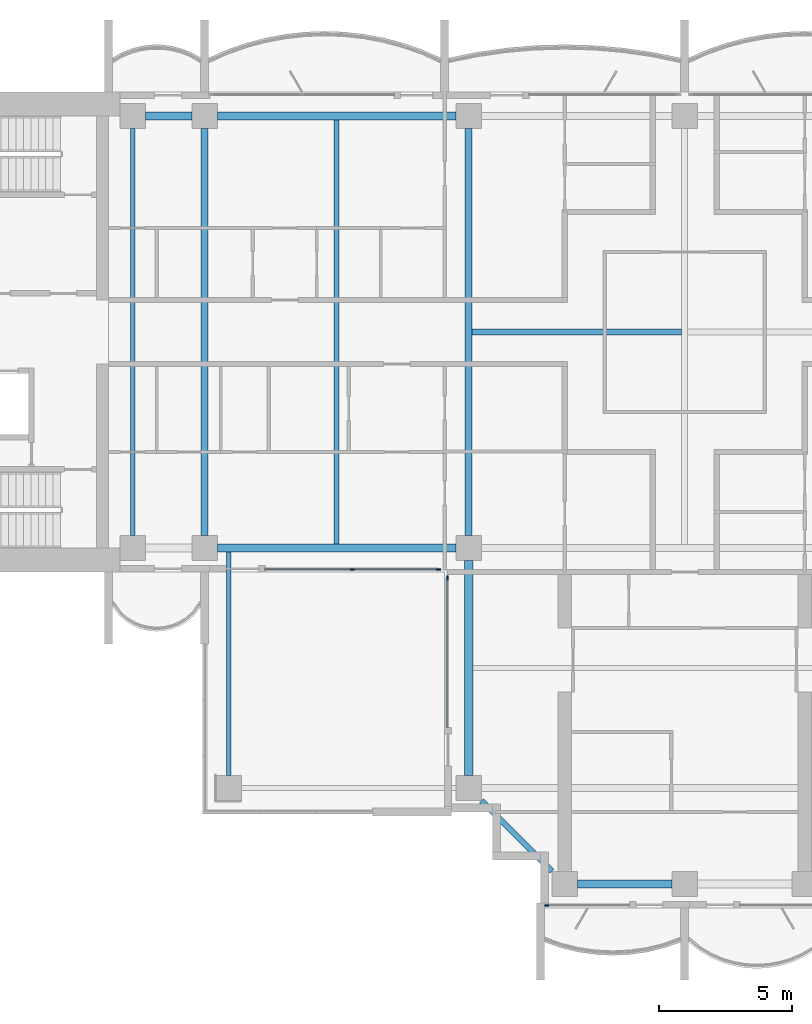
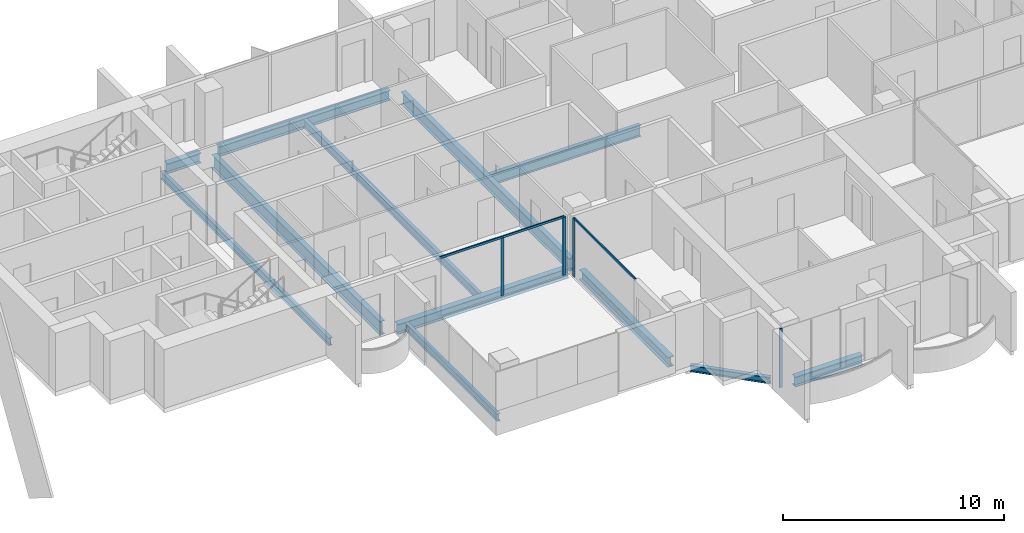
# One storey, part 2 of 18: 12 beams, 6 members, 3 elements without a shape of their own.
"""IFC4 building model written with IfcOpenShell, lengths in metres."""

from ifc_helpers import new_model, si_unit, direction, frame, origin, origin_2d, place, context, subcontext, project, spatial, rectangle, i_section, extrude, material, material_profile, profile_set, type_object, element, aggregate, save


model = new_model("IFC4")

# Units and contexts
model_context = context("Model", 3, precision=1e-05, world=origin(), true_north=direction((0.0, 1.0)))
body_context = subcontext(model_context, "Body", "Model", "MODEL_VIEW")
ifc_project = project(units=[si_unit("LENGTHUNIT", "METRE"), si_unit("AREAUNIT", "SQUARE_METRE"), si_unit("VOLUMEUNIT", "CUBIC_METRE"), si_unit("PLANEANGLEUNIT", "RADIAN"), si_unit("MASSUNIT", "GRAM", prefix="KILO")], contexts=[model_context])

# Site, building, storey
site_placement = place(None, origin())
site = spatial("IfcSite", under=ifc_project, at=site_placement, CompositionType="ELEMENT")
building_placement = place(site_placement, origin())
building = spatial("IfcBuilding", under=site, at=building_placement, Name="Perihelion Cross Residences", CompositionType="ELEMENT")
storey_placement = place(building_placement, frame((0.0, 0.0, 215.60009765625)))
storey = spatial("IfcBuildingStorey", under=building, at=storey_placement, Name="L54", CompositionType="ELEMENT", Elevation=215.60009765625)

# Curtain wall, members
ifc_material_1 = material(Name="Bronze anodised aluminium, tinted glazing", Category="aluminium")
curtain_wall_type = type_object("IfcCurtainWallType", Name="CW1", PredefinedType="NOTDEFINED", material=ifc_material_1)
curtain_wall_1_placement = place(storey_placement, origin())
curtain_wall_1 = element("IfcCurtainWall", 1, at=curtain_wall_1_placement, inside=storey, type_object=curtain_wall_type, Name="Curtain wall CW1 L54 west side south bay 2", PredefinedType="NOTDEFINED")
ifc_material_2 = material(Name="Bronze anodised aluminium", Category="aluminium")
ifc_material_profile_1 = material_profile(ifc_material_2, rectangle(XDim=0.06005859375, YDim=0.159912109375, at=origin_2d()), Name="CW1 mullion")
ifc_profile_set_1 = profile_set([ifc_material_profile_1], Name="Bronze anodised aluminium")
member_type_1 = type_object("IfcMemberType", Name="CW1 mullion", PredefinedType="MULLION", material=ifc_profile_set_1)
member_1_placement = place(storey_placement, frame((-12.46240234375, -8.89990234375, 0.0), z_axis=(0.0, 0.0, 1.0), x_axis=(0.0, 1.0, 0.0)))
member_1 = element("IfcMember", 2, at=member_1_placement, type_object=member_type_1, Name="CW1 mullion 2", PredefinedType="MULLION", context=body_context, shape_type="SweptSolid", body=[
    extrude(rectangle(XDim=0.06005859375, YDim=0.159912109375, at=origin_2d()), origin(), (0.0, 0.0, 1.0), 3.18994140625),
])
member_2_placement = place(storey_placement, frame((-9.22998046875, -8.89990234375, 0.0), z_axis=(0.0, 0.0, 1.0), x_axis=(0.0, 1.0, 0.0)))
member_2 = element("IfcMember", 3, at=member_2_placement, type_object=member_type_1, Name="CW1 mullion 3", PredefinedType="MULLION", context=body_context, shape_type="SweptSolid", body=[
    extrude(rectangle(XDim=0.06005859375, YDim=0.159912109375, at=origin_2d()), origin(), (0.0, 0.0, 1.0), 3.18994140625),
])

# Curtain wall, member
curtain_wall_2_placement = place(storey_placement, origin())
curtain_wall_2 = element("IfcCurtainWall", 4, at=curtain_wall_2_placement, inside=storey, type_object=curtain_wall_type, Name="Curtain wall CW1 L54 south side west bay 1", PredefinedType="NOTDEFINED")
member_3_placement = place(storey_placement, frame((-8.89990234375, -9.22998046875, 0.0), z_axis=(0.0, 0.0, 1.0), x_axis=(1.0, 0.0, 0.0)))
member_3 = element("IfcMember", 5, at=member_3_placement, type_object=member_type_1, Name="CW1 mullion 1", PredefinedType="MULLION", context=body_context, shape_type="SweptSolid", body=[
    extrude(rectangle(XDim=0.06005859375, YDim=0.159912109375, at=origin_2d()), origin(), (0.0, 0.0, 1.0), 3.18994140625),
])

curtain_wall_3_placement = place(storey_placement, origin())
curtain_wall_3 = element("IfcCurtainWall", 6, at=curtain_wall_3_placement, inside=storey, type_object=curtain_wall_type, Name="Curtain wall CW1 L54 south tip south bay 1", PredefinedType="NOTDEFINED")
member_4_placement = place(storey_placement, frame((-5.169921875, -21.5, 0.0), z_axis=(0.0, 0.0, 1.0), x_axis=(0.0, 1.0, 0.0)))
member_4 = element("IfcMember", 7, at=member_4_placement, type_object=member_type_1, Name="CW1 mullion 1", PredefinedType="MULLION", context=body_context, shape_type="SweptSolid", body=[
    extrude(rectangle(XDim=0.06005859375, YDim=0.159912109375, at=origin_2d()), origin(), (0.0, 0.0, 1.0), 3.25),
])
aggregate(curtain_wall_3, [member_4])

# Member
ifc_material_3 = material(Name="Bronze anodised aluminium", Category="aluminium")
ifc_material_profile_2 = material_profile(ifc_material_3, rectangle(XDim=0.06005859375, YDim=0.1201171875, at=origin_2d()), Name="CW1 transom")
ifc_profile_set_2 = profile_set([ifc_material_profile_2], Name="Bronze anodised aluminium")
member_type_2 = type_object("IfcMemberType", Name="CW1 transom", PredefinedType="USERDEFINED", material=ifc_profile_set_2)
member_5_placement = place(storey_placement, frame((-15.72509765625, -8.89990234375, 3.219970703125), z_axis=(1.0, 0.0, 0.0), x_axis=(0.0, 1.0, 0.0)))
member_5 = element("IfcMember", 8, at=member_5_placement, type_object=member_type_2, Name="CW1 head transom", ObjectType="TRANSOM", PredefinedType="USERDEFINED", context=body_context, shape_type="SweptSolid", body=[
    extrude(rectangle(XDim=0.06005859375, YDim=0.1201171875, at=origin_2d()), origin(), (0.0, 0.0, 1.0), 6.4951171875),
])

aggregate(curtain_wall_1, [member_1, member_2, member_5])

member_6_placement = place(storey_placement, frame((-8.89990234375, -9.22998046875, 3.219970703125), z_axis=(0.0, -1.0, 0.0), x_axis=(1.0, 0.0, 0.0)))
member_6 = element("IfcMember", 9, at=member_6_placement, type_object=member_type_2, Name="CW1 head transom", ObjectType="TRANSOM", PredefinedType="USERDEFINED", context=body_context, shape_type="SweptSolid", body=[
    extrude(rectangle(XDim=0.06005859375, YDim=0.1201171875, at=origin_2d()), origin(), (0.0, 0.0, 1.0), 5.594970703125),
])

aggregate(curtain_wall_2, [member_3, member_6])

# Beams
ifc_material_4 = material(Name="Steel S355", Category="steel")
ifc_material_profile_3 = material_profile(ifc_material_4, i_section(OverallWidth=0.177978515625, OverallDepth=0.406005859375, WebThickness=0.0078125, FlangeThickness=0.0126953125, at=origin_2d()), Name="W410x60")
ifc_profile_set_3 = profile_set([ifc_material_profile_3], Name="Steel S355")
beam_type_1 = type_object("IfcBeamType", Name="Core edge beam W410x60", PredefinedType="BEAM", material=ifc_profile_set_3)
beam_1_placement = place(storey_placement, frame((-17.10009765625, -8.256103515625, -0.453125), z_axis=(0.0, -1.0, 0.0), x_axis=(1.0, 0.0, 0.0)))
element("IfcBeam", 10, at=beam_1_placement, inside=storey, type_object=beam_type_1, Name="Core edge beam TB2 L54 corner no. 1", PredefinedType="BEAM", context=body_context, shape_type="SweptSolid", body=[
    extrude(i_section(OverallWidth=0.177978515625, OverallDepth=0.406005859375, WebThickness=0.0078125, FlangeThickness=0.0126953125, at=origin_2d()), origin(), (0.0, 0.0, 1.0), 8.368896484375),
])
ifc_material_5 = material(Name="Steel S355", Category="steel")
ifc_material_profile_4 = material_profile(ifc_material_5, i_section(OverallWidth=0.180908203125, OverallDepth=0.4169921875, WebThickness=0.010986328125, FlangeThickness=0.018310546875, at=origin_2d()), Name="W410x85")
ifc_profile_set_4 = profile_set([ifc_material_profile_4], Name="Steel S355")
beam_type_2 = type_object("IfcBeamType", Name="Core edge beam W410x85", PredefinedType="BEAM", material=ifc_profile_set_4)
beam_2_placement = place(storey_placement, frame((-20.699951171875, -7.625, -0.45849609375), z_axis=(0.0, 1.0, 0.0), x_axis=(-1.0, 0.0, 0.0)))
element("IfcBeam", 11, at=beam_2_placement, inside=storey, type_object=beam_type_2, Name="Core edge beam TB6 L54 no. 1", PredefinedType="BEAM", context=body_context, shape_type="SweptSolid", body=[
    extrude(i_section(OverallWidth=0.180908203125, OverallDepth=0.4169921875, WebThickness=0.010986328125, FlangeThickness=0.018310546875, at=origin_2d()), origin(), (0.0, 0.0, 1.0), 15.25),
])
ifc_material_6 = material(Name="Steel S355", Category="steel")
ifc_material_profile_5 = material_profile(ifc_material_6, i_section(OverallWidth=0.31201171875, OverallDepth=0.5439453125, WebThickness=0.0126953125, FlangeThickness=0.020263671875, at=origin_2d()), Name="W530x150")
ifc_profile_set_5 = profile_set([ifc_material_profile_5], Name="Steel S355")
beam_type_3 = type_object("IfcBeamType", Name="Edge beam W530x150", PredefinedType="SPANDREL", material=ifc_profile_set_5)
beam_3_placement = place(storey_placement, frame((-8.574951171875, 8.10009765625, -0.522216796875), z_axis=(-1.0, 0.0, 0.0), x_axis=(0.0, -1.0, 0.0)))
element("IfcBeam", 12, at=beam_3_placement, inside=storey, type_object=beam_type_3, Name="Edge beam SB4 L54 no. 6", PredefinedType="SPANDREL", context=body_context, shape_type="SweptSolid", body=[
    extrude(i_section(OverallWidth=0.31201171875, OverallDepth=0.5439453125, WebThickness=0.0126953125, FlangeThickness=0.020263671875, at=origin_2d()), origin(), (0.0, 0.0, 1.0), 8.949951171875),
])
beam_4_placement = place(storey_placement, frame((-18.47509765625, 8.10009765625, -0.522216796875), z_axis=(-1.0, 0.0, 0.0), x_axis=(0.0, -1.0, 0.0)))
element("IfcBeam", 13, at=beam_4_placement, inside=storey, type_object=beam_type_3, Name="Edge beam SB4 L54 no. 2", PredefinedType="SPANDREL", context=body_context, shape_type="SweptSolid", body=[
    extrude(i_section(OverallWidth=0.31201171875, OverallDepth=0.5439453125, WebThickness=0.0126953125, FlangeThickness=0.020263671875, at=origin_2d()), origin(), (0.0, 0.0, 1.0), 1.75),
])
beam_5_placement = place(storey_placement, frame((-17.52490234375, -8.10009765625, -0.522216796875), z_axis=(1.0, 0.0, 0.0), x_axis=(0.0, 1.0, 0.0)))
element("IfcBeam", 14, at=beam_5_placement, inside=storey, type_object=beam_type_3, Name="Edge beam SB4 L54 no. 1", PredefinedType="SPANDREL", context=body_context, shape_type="SweptSolid", body=[
    extrude(i_section(OverallWidth=0.31201171875, OverallDepth=0.5439453125, WebThickness=0.0126953125, FlangeThickness=0.020263671875, at=origin_2d()), origin(), (0.0, 0.0, 1.0), 8.949951171875),
])
beam_6_placement = place(storey_placement, frame((-8.10009765625, -8.574951171875, -0.522216796875), z_axis=(0.0, -1.0, 0.0), x_axis=(1.0, 0.0, 0.0)))
element("IfcBeam", 15, at=beam_6_placement, inside=storey, type_object=beam_type_3, Name="Edge beam SB4 L54 no. 5", PredefinedType="SPANDREL", context=body_context, shape_type="SweptSolid", body=[
    extrude(i_section(OverallWidth=0.31201171875, OverallDepth=0.5439453125, WebThickness=0.0126953125, FlangeThickness=0.020263671875, at=origin_2d()), origin(), (0.0, 0.0, 1.0), 8.050048828125),
])
beam_7_placement = place(storey_placement, frame((-4.02490234375, -20.699951171875, -0.522216796875), z_axis=(1.0, 0.0, 0.0), x_axis=(0.0, 1.0, 0.0)))
element("IfcBeam", 16, at=beam_7_placement, inside=storey, type_object=beam_type_3, Name="Edge beam SB4 L54 no. 4", PredefinedType="SPANDREL", context=body_context, shape_type="SweptSolid", body=[
    extrude(i_section(OverallWidth=0.31201171875, OverallDepth=0.5439453125, WebThickness=0.0126953125, FlangeThickness=0.020263671875, at=origin_2d()), origin(), (0.0, 0.0, 1.0), 3.5498046875),
])
ifc_material_7 = material(Name="Steel S355", Category="steel")
ifc_material_profile_6 = material_profile(ifc_material_7, i_section(OverallWidth=0.26708984375, OverallDepth=0.77001953125, WebThickness=0.015625, FlangeThickness=0.025390625, at=origin_2d()), Name="W760x196")
ifc_profile_set_6 = profile_set([ifc_material_profile_6], Name="Steel S355")
beam_type_4 = type_object("IfcBeamType", Name="Floor girder W760x196", PredefinedType="BEAM", material=ifc_profile_set_6)
beam_8_placement = place(storey_placement, frame((-18.0, -7.625, -0.635009765625), z_axis=(0.0, 1.0, 0.0), x_axis=(-1.0, 0.0, 0.0)))
element("IfcBeam", 17, at=beam_8_placement, inside=storey, type_object=beam_type_4, Name="Girder G4 L54 no. 1", PredefinedType="BEAM", context=body_context, shape_type="SweptSolid", body=[
    extrude(i_section(OverallWidth=0.26708984375, OverallDepth=0.77001953125, WebThickness=0.015625, FlangeThickness=0.025390625, at=origin_2d()), origin(), (0.0, 0.0, 1.0), 15.25),
])
ifc_material_8 = material(Name="Steel S355", Category="steel")
ifc_material_profile_7 = material_profile(ifc_material_8, i_section(OverallWidth=0.19091796875, OverallDepth=0.45703125, WebThickness=0.009033203125, FlangeThickness=0.014404296875, at=origin_2d()), Name="W460x74")
ifc_profile_set_7 = profile_set([ifc_material_profile_7], Name="Steel S355")
beam_type_5 = type_object("IfcBeamType", Name="Floor joist W460x74", PredefinedType="JOIST", material=ifc_profile_set_7)
beam_9_placement = place(storey_placement, frame((-13.050048828125, -7.944091796875, -0.478515625), z_axis=(0.0, 1.0, 0.0), x_axis=(-1.0, 0.0, 0.0)))
element("IfcBeam", 18, at=beam_9_placement, inside=storey, type_object=beam_type_5, Name="Joist J5 L54 no. 1", PredefinedType="JOIST", context=body_context, shape_type="SweptSolid", body=[
    extrude(i_section(OverallWidth=0.19091796875, OverallDepth=0.45703125, WebThickness=0.009033203125, FlangeThickness=0.014404296875, at=origin_2d()), origin(), (0.0, 0.0, 1.0), 15.88818359375),
])
ifc_material_9 = material(Name="Steel S355", Category="steel")
ifc_material_profile_8 = material_profile(ifc_material_9, i_section(OverallWidth=0.22900390625, OverallDepth=0.612060546875, WebThickness=0.011962890625, FlangeThickness=0.01953125, at=origin_2d()), Name="W610x125")
ifc_profile_set_8 = profile_set([ifc_material_profile_8], Name="Steel S355")
beam_type_6 = type_object("IfcBeamType", Name="Hub cross beam W610x125", PredefinedType="BEAM", material=ifc_profile_set_8)
beam_10_placement = place(storey_placement, frame((-7.971435546875, 0.0, -0.55615234375), z_axis=(1.0, 0.0, 0.0), x_axis=(0.0, 1.0, 0.0)))
element("IfcBeam", 19, at=beam_10_placement, inside=storey, type_object=beam_type_6, Name="Hub cross beam XB4 L54 1 no. 1", PredefinedType="BEAM", context=body_context, shape_type="SweptSolid", body=[
    extrude(i_section(OverallWidth=0.22900390625, OverallDepth=0.612060546875, WebThickness=0.011962890625, FlangeThickness=0.01953125, at=origin_2d()), origin(), (0.0, 0.0, 1.0), 7.85693359375),
])
ifc_material_10 = material(Name="Steel S355", Category="steel")
ifc_material_profile_9 = material_profile(ifc_material_10, i_section(OverallWidth=0.257080078125, OverallDepth=0.693115234375, WebThickness=0.014404296875, FlangeThickness=0.023681640625, at=origin_2d()), Name="W690x170")
ifc_profile_set_9 = profile_set([ifc_material_profile_9], Name="Steel S355")
beam_type_7 = type_object("IfcBeamType", Name="Hub ring girder W690x170", PredefinedType="BEAM", material=ifc_profile_set_9)
beam_11_placement = place(storey_placement, frame((-8.10009765625, 7.625, -0.5966796875), z_axis=(0.0, -1.0, 0.0), x_axis=(1.0, 0.0, 0.0)))
element("IfcBeam", 20, at=beam_11_placement, inside=storey, type_object=beam_type_7, Name="Hub ring girder RG4 L54 no. 2", PredefinedType="BEAM", context=body_context, shape_type="SweptSolid", body=[
    extrude(i_section(OverallWidth=0.257080078125, OverallDepth=0.693115234375, WebThickness=0.014404296875, FlangeThickness=0.023681640625, at=origin_2d()), origin(), (0.0, 0.0, 1.0), 15.25),
])
ifc_material_11 = material(Name="Steel S355", Category="steel")
ifc_material_profile_10 = material_profile(ifc_material_11, i_section(OverallWidth=0.205078125, OverallDepth=0.35302734375, WebThickness=0.009521484375, FlangeThickness=0.016845703125, at=origin_2d()), Name="W360x79")
ifc_profile_set_10 = profile_set([ifc_material_profile_10], Name="Steel S355")
beam_type_8 = type_object("IfcBeamType", Name="Serration edge beam W360x79", PredefinedType="BEAM", material=ifc_profile_set_10)
beam_12_placement = place(storey_placement, frame((-7.625, -17.574951171875, -0.426513671875), z_axis=(0.70707420838, -0.707139352493, 0.0), x_axis=(0.707139352493, 0.70707420838, 0.0)))
element("IfcBeam", 21, at=beam_12_placement, inside=storey, type_object=beam_type_8, Name="Serration edge beam EB4 L54 no. 1", PredefinedType="BEAM", context=body_context, shape_type="SweptSolid", body=[
    extrude(i_section(OverallWidth=0.205078125, OverallDepth=0.35302734375, WebThickness=0.009521484375, FlangeThickness=0.016845703125, at=origin_2d()), origin(), (0.0, 0.0, 1.0), 3.747802734375),
])

save(model, "model.ifc")
